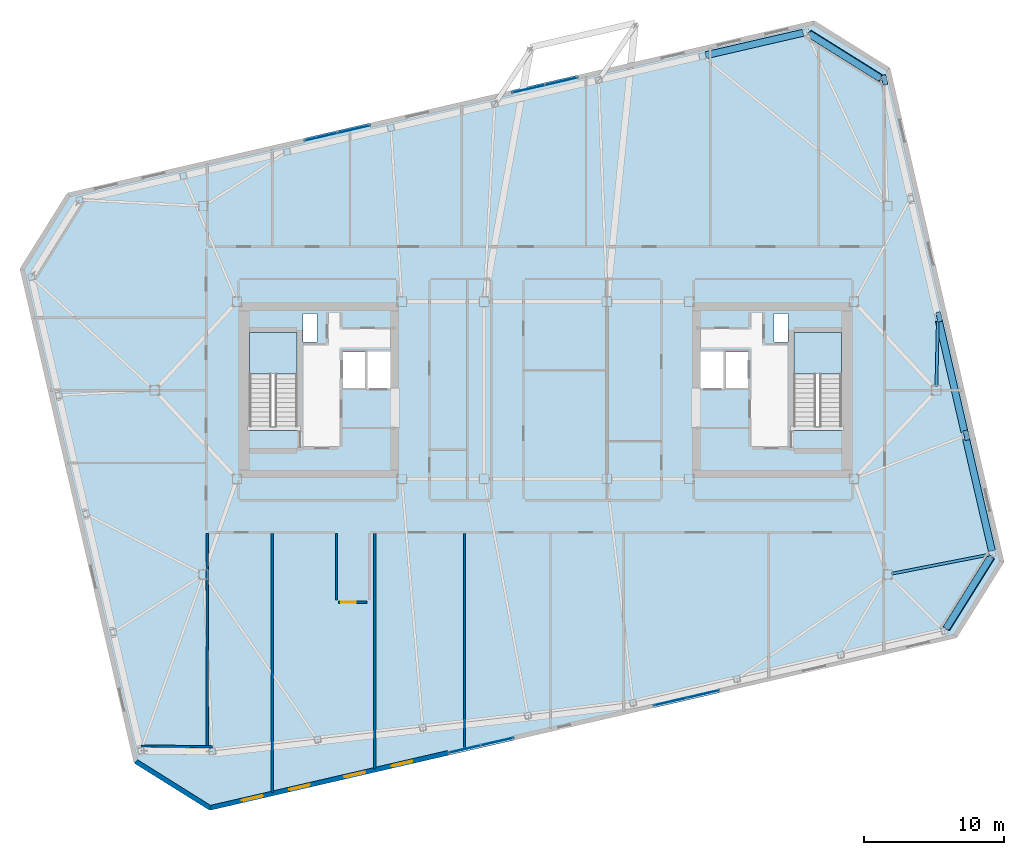
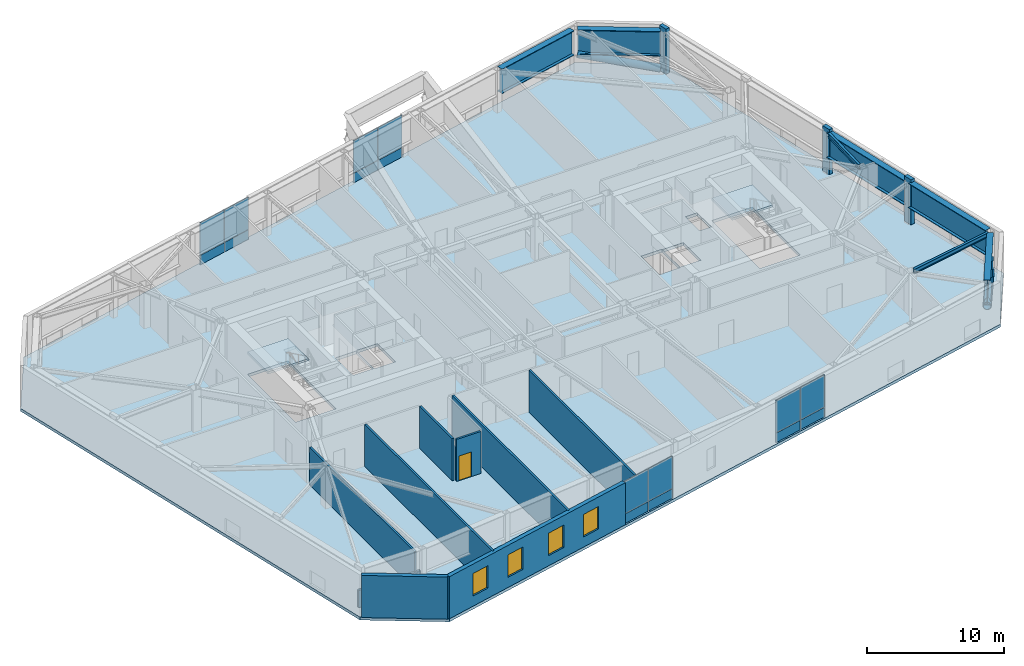
# One storey, part 15 of 23: 16 plates, 9 walls, 7 beams, 5 members, 4 windows, 3 slabs, 1 door, 5 openings, 6 elements without a shape of their own.
"""IFC4 building model written with IfcOpenShell, lengths in metres."""

from ifc_helpers import new_model, si_unit, direction, frame, frame_2d, origin, origin_2d, place, context, subcontext, project, spatial, polyline, rectangle, hollow_circle, i_section, outline, extrude, material, layer, layer_set, material_profile, profile_set, type_object, element, fill, aggregate, save


model = new_model("IFC4")

# Units and contexts
model_context = context("Model", 3, precision=1e-05, world=origin(), true_north=direction((0.0, 1.0)))
body_context = subcontext(model_context, "Body", "Model", "MODEL_VIEW")
ifc_project = project(units=[si_unit("LENGTHUNIT", "METRE"), si_unit("AREAUNIT", "SQUARE_METRE"), si_unit("VOLUMEUNIT", "CUBIC_METRE"), si_unit("PLANEANGLEUNIT", "RADIAN"), si_unit("MASSUNIT", "GRAM", prefix="KILO")], contexts=[model_context])

# Site, building, storey
site_placement = place(None, origin())
site = spatial("IfcSite", under=ifc_project, at=site_placement, CompositionType="ELEMENT")
building_placement = place(site_placement, origin())
building = spatial("IfcBuilding", under=site, at=building_placement, Name="Tavrogorsk Clinical Tower", CompositionType="ELEMENT")
storey_placement = place(building_placement, frame((0.0, 0.0, 305.0)))
storey = spatial("IfcBuildingStorey", under=building, at=storey_placement, Name="L71", CompositionType="ELEMENT", Elevation=305.0)

# Members
ifc_material_1 = material(Name="Structural steel S440", Category="steel")
ifc_material_profile_1 = material_profile(ifc_material_1, hollow_circle(Radius=0.304931640625, WallThickness=0.02490234375, at=origin_2d()), Name="CHS-610x25")
ifc_profile_set_1 = profile_set([ifc_material_profile_1], Name="Structural steel S440")
member_type_1 = type_object("IfcMemberType", Name="ExoBrace_CHS610", PredefinedType="BRACE", material=ifc_profile_set_1)
for number, where, z_axis, x_axis, name in (
    (1, (31.91455078125, -11.92236328125, 0.342041015625), (-0.521290681587, -0.834200119361, 0.179906048117), (0.848036860335, -0.529937244882, 0.0), "L71 Corner Exoskeleton Brace S8-E1"),
    (2, (24.004150390625, 22.34033203125, 0.342041015625), (-0.834200119361, 0.521290681587, 0.179906048117), (-0.529937244882, -0.848036860335, 0.0), "L71 Corner Exoskeleton Brace E5-N1"),
):
    element("IfcMember", number, at=place(storey_placement, frame(where, z_axis=z_axis, x_axis=x_axis)), inside=storey, type_object=member_type_1, Name=name, PredefinedType="BRACE", context=body_context, shape_type="SweptSolid", body=[
        extrude(hollow_circle(Radius=0.304931640625, WallThickness=0.02490234375, at=origin_2d()), origin(), (0.0, 0.0, 1.0), 6.1474609375),
    ])

# Beams
ifc_material_2 = material(Name="Structural steel S355", Category="steel")
ifc_material_profile_2 = material_profile(ifc_material_2, i_section(OverallWidth=0.199951171875, OverallDepth=0.39990234375, WebThickness=0.010498046875, FlangeThickness=0.01611328125, at=origin_2d()), Name="B-400x200x10.5x16")
ifc_profile_set_2 = profile_set([ifc_material_profile_2], Name="Structural steel S355")
beam_type_1 = type_object("IfcBeamType", Name="FloorBeam_B400", PredefinedType="BEAM", material=ifc_profile_set_2)
beam_1_placement = place(storey_placement, frame((24.80419921875, -13.140625, 3.5400390625), z_axis=(0.981451198395, 0.191712141424, 0.0), x_axis=(-0.191712141424, 0.981451198395, 0.0)))
element("IfcBeam", 3, at=beam_1_placement, inside=storey, type_object=beam_type_1, Name="L71 Radial Floor Beam E1", PredefinedType="BEAM", context=body_context, shape_type="SweptSolid", body=[
    extrude(i_section(OverallWidth=0.199951171875, OverallDepth=0.39990234375, WebThickness=0.010498046875, FlangeThickness=0.01611328125, at=origin_2d()), origin(), (0.0, 0.0, 1.0), 7.13525390625),
])
beam_2_placement = place(storey_placement, frame((28.0068359375, 0.309814453125, 3.5400390625), z_axis=(0.022370062613, 0.999749758839, 0.0), x_axis=(-0.999749758839, 0.022370062613, 0.0)))
element("IfcBeam", 4, at=beam_2_placement, inside=storey, type_object=beam_type_1, Name="L71 Radial Floor Beam E3", PredefinedType="BEAM", context=body_context, shape_type="SweptSolid", body=[
    extrude(i_section(OverallWidth=0.199951171875, OverallDepth=0.39990234375, WebThickness=0.010498046875, FlangeThickness=0.01611328125, at=origin_2d()), origin(), (0.0, 0.0, 1.0), 4.703857421875),
])

# Members
ifc_material_3 = material(Name="Precast concrete B45 with limestone cladding", Category="masonry")
ifc_material_profile_3 = material_profile(ifc_material_3, rectangle(XDim=0.320068359375, YDim=0.719970703125, at=origin_2d()), Name="LIMESTONE-FIN-320x720")
ifc_profile_set_3 = profile_set([ifc_material_profile_3], Name="Precast concrete B45 with limestone cladding")
member_type_2 = type_object("IfcMemberType", Name="LimestonePleatFin_320x720", PredefinedType="USERDEFINED", material=ifc_profile_set_3)
for number, where, z_axis, x_axis, name in (
    (5, (30.154541015625, -3.223388671875, 0.0), (0.0, 0.0, 1.0), (0.974370064785, 0.224951054344, 0.0), "L71 E Pleated Stone Fin 1"),
    (6, (28.1953125, 5.263427734375, 0.0), (0.0, 0.0, 1.0), (0.974370064785, 0.224951054344, 0.0), "L71 E Pleated Stone Fin 2"),
    (7, (24.276611328125, 22.237060546875, 0.0), (0.0, 0.0, 1.0), (0.974370064785, 0.224951054344, 0.0), "L71 E Pleated Stone Fin 4"),
):
    element("IfcMember", number, at=place(storey_placement, frame(where, z_axis=z_axis, x_axis=x_axis)), inside=storey, type_object=member_type_2, Name=name, ObjectType="FIN", PredefinedType="USERDEFINED", context=body_context, shape_type="SweptSolid", body=[
        extrude(rectangle(XDim=0.320068359375, YDim=0.719970703125, at=origin_2d()), origin(), (0.0, 0.0, 1.0), 4.0),
    ])

# Beams
ifc_material_4 = material(Name="Structural steel S440", Category="steel")
ifc_material_profile_4 = material_profile(ifc_material_4, i_section(OverallWidth=0.5, OverallDepth=2.199951171875, WebThickness=0.035888671875, FlangeThickness=0.054931640625, at=origin_2d()), Name="DK-2200x500x36x55")
ifc_profile_set_4 = profile_set([ifc_material_profile_4], Name="Structural steel S440")
beam_type_2 = type_object("IfcBeamType", Name="TransferGirder_DK2200", PredefinedType="USERDEFINED", material=ifc_profile_set_4)
beam_3_placement = place(storey_placement, frame((28.712158203125, -17.04736328125, 2.639892578125), z_axis=(0.529904457892, 0.848057348006, 0.0), x_axis=(-0.848057348006, 0.529904457892, 0.0)))
element("IfcBeam", 8, at=beam_3_placement, inside=storey, type_object=beam_type_2, Name="L71 Perimeter Spandrel S8-E1", ObjectType="GIRDER", PredefinedType="USERDEFINED", context=body_context, shape_type="SweptSolid", body=[
    extrude(i_section(OverallWidth=0.5, OverallDepth=2.199951171875, WebThickness=0.035888671875, FlangeThickness=0.054931640625, at=origin_2d()), origin(), (0.0, 0.0, 1.0), 6.039306640625),
])
for number, where, z_axis, x_axis, name in (
    (9, (31.9833984375, -11.5009765625, 2.639892578125), (-0.224950345141, 0.974370228517, 0.0), (-0.974370228517, -0.224950345141, 0.0), "L71 Perimeter Spandrel E1-E2"),
    (10, (30.024169921875, -3.01416015625, 2.639892578125), (-0.224950345141, 0.974370228517, 0.0), (-0.974370228517, -0.224950345141, 0.0), "L71 Perimeter Spandrel E2-E3"),
):
    element("IfcBeam", number, at=place(storey_placement, frame(where, z_axis=z_axis, x_axis=x_axis)), inside=storey, type_object=beam_type_2, Name=name, ObjectType="GIRDER", PredefinedType="USERDEFINED", context=body_context, shape_type="SweptSolid", body=[
        extrude(i_section(OverallWidth=0.5, OverallDepth=2.199951171875, WebThickness=0.035888671875, FlangeThickness=0.054931640625, at=origin_2d()), origin(), (0.0, 0.0, 1.0), 8.243896484375),
    ])
beam_4_placement = place(storey_placement, frame((24.0009765625, 22.342529296875, 2.639892578125), z_axis=(-0.848057348006, 0.529904457892, 0.0), x_axis=(-0.529904457892, -0.848057348006, 0.0)))
element("IfcBeam", 11, at=beam_4_placement, inside=storey, type_object=beam_type_2, Name="L71 Perimeter Spandrel E5-N1", ObjectType="GIRDER", PredefinedType="USERDEFINED", context=body_context, shape_type="SweptSolid", body=[
    extrude(i_section(OverallWidth=0.5, OverallDepth=2.199951171875, WebThickness=0.035888671875, FlangeThickness=0.054931640625, at=origin_2d()), origin(), (0.0, 0.0, 1.0), 6.039306640625),
])
beam_5_placement = place(storey_placement, frame((18.45458984375, 25.61376953125, 2.639892578125), z_axis=(-0.974375120167, -0.224929155956, 0.0), x_axis=(0.224929155956, -0.974375120167, 0.0)))
element("IfcBeam", 12, at=beam_5_placement, inside=storey, type_object=beam_type_2, Name="L71 Perimeter Spandrel N1-N2", ObjectType="GIRDER", PredefinedType="USERDEFINED", context=body_context, shape_type="SweptSolid", body=[
    extrude(i_section(OverallWidth=0.5, OverallDepth=2.199951171875, WebThickness=0.035888671875, FlangeThickness=0.054931640625, at=origin_2d()), origin(), (0.0, 0.0, 1.0), 7.16796875),
])

# Curtain wall, plates
ifc_material_5 = material(Name="Anodised aluminium and triple IGU glazing", Category="aluminium")
ifc_layer_1 = layer(ifc_material_5, 0.179931640625)
ifc_layer_set_1 = layer_set([ifc_layer_1], Name="Anodised aluminium and triple IGU glazing")
curtain_wall_type_1 = type_object("IfcCurtainWallType", Name="CW3_SouthSlot", PredefinedType="NOTDEFINED", material=ifc_layer_set_1)
curtain_wall_1_placement = place(storey_placement, origin())
curtain_wall_1 = element("IfcCurtainWall", 13, at=curtain_wall_1_placement, inside=storey, type_object=curtain_wall_type_1, Name="L71 Curtain Wall CW-L71-S-SLOT-1", PredefinedType="NOTDEFINED")
ifc_material_6 = material(Name="Honed Podolsk limestone spandrel panel", Category="masonry")
ifc_layer_2 = layer(ifc_material_6, 0.080078125)
ifc_layer_set_2 = layer_set([ifc_layer_2], Name="Honed Podolsk limestone spandrel panel")
plate_type_1 = type_object("IfcPlateType", Name="CwSpandrelStonePanel_80", PredefinedType="CURTAIN_PANEL", material=ifc_layer_set_2)
plate_1_placement = place(storey_placement, frame((-5.810546875, -25.7099609375, 0.001953125), z_axis=(0.0, 0.0, 1.0), x_axis=(0.974370057377, 0.224951086434, 0.0)))
plate_1 = element("IfcPlate", 14, at=plate_1_placement, type_object=plate_type_1, Name="CW-L71-S-SLOT-1 Stone Spandrel Panel 1", PredefinedType="CURTAIN_PANEL", context=body_context, shape_type="SweptSolid", body=[
    extrude(rectangle(XDim=2.39208984375, YDim=0.080078125, at=origin_2d()), origin(), (0.0, 0.0, 1.0), 0.8359375),
])
plate_2_placement = place(storey_placement, frame((-3.45654296875, -25.16650390625, 0.001953125), z_axis=(0.0, 0.0, 1.0), x_axis=(0.974370057377, 0.224951086434, 0.0)))
plate_2 = element("IfcPlate", 15, at=plate_2_placement, type_object=plate_type_1, Name="CW-L71-S-SLOT-1 Stone Spandrel Panel 2", PredefinedType="CURTAIN_PANEL", context=body_context, shape_type="SweptSolid", body=[
    extrude(rectangle(XDim=2.39208984375, YDim=0.080078125, at=origin_2d()), origin(), (0.0, 0.0, 1.0), 0.8359375),
])

curtain_wall_2_placement = place(storey_placement, origin())
curtain_wall_2 = element("IfcCurtainWall", 16, at=curtain_wall_2_placement, inside=storey, type_object=curtain_wall_type_1, Name="L71 Curtain Wall CW-L71-S-SLOT-2", PredefinedType="NOTDEFINED")
plate_3_placement = place(storey_placement, frame((8.9296875, -22.306884765625, 0.001953125), z_axis=(0.0, 0.0, 1.0), x_axis=(0.974370057377, 0.224951086434, 0.0)))
plate_3 = element("IfcPlate", 17, at=plate_3_placement, type_object=plate_type_1, Name="CW-L71-S-SLOT-2 Stone Spandrel Panel 1", PredefinedType="CURTAIN_PANEL", context=body_context, shape_type="SweptSolid", body=[
    extrude(rectangle(XDim=2.39208984375, YDim=0.080078125, at=origin_2d()), origin(), (0.0, 0.0, 1.0), 0.8359375),
])
plate_4_placement = place(storey_placement, frame((11.28369140625, -21.763427734375, 0.001953125), z_axis=(0.0, 0.0, 1.0), x_axis=(0.974370057377, 0.224951086434, 0.0)))
plate_4 = element("IfcPlate", 18, at=plate_4_placement, type_object=plate_type_1, Name="CW-L71-S-SLOT-2 Stone Spandrel Panel 2", PredefinedType="CURTAIN_PANEL", context=body_context, shape_type="SweptSolid", body=[
    extrude(rectangle(XDim=2.39208984375, YDim=0.080078125, at=origin_2d()), origin(), (0.0, 0.0, 1.0), 0.8359375),
])

ifc_material_7 = material(Name="Anodised aluminium and triple IGU glazing", Category="aluminium")
ifc_layer_3 = layer(ifc_material_7, 0.179931640625)
ifc_layer_set_3 = layer_set([ifc_layer_3], Name="Anodised aluminium and triple IGU glazing")
curtain_wall_type_2 = type_object("IfcCurtainWallType", Name="CW2_NorthSlot", PredefinedType="NOTDEFINED", material=ifc_layer_set_3)
curtain_wall_3_placement = place(storey_placement, origin())
curtain_wall_3 = element("IfcCurtainWall", 19, at=curtain_wall_3_placement, inside=storey, type_object=curtain_wall_type_2, Name="L71 Curtain Wall CW-L71-N-SLOT-1", PredefinedType="NOTDEFINED")
plate_5_placement = place(storey_placement, frame((-13.729736328125, 18.70703125, 0.001953125), z_axis=(0.0, 0.0, 1.0), x_axis=(-0.974370057377, -0.224951086434, 0.0)))
plate_5 = element("IfcPlate", 20, at=plate_5_placement, type_object=plate_type_1, Name="CW-L71-N-SLOT-1 Stone Spandrel Panel 1", PredefinedType="CURTAIN_PANEL", context=body_context, shape_type="SweptSolid", body=[
    extrude(rectangle(XDim=2.39208984375, YDim=0.080078125, at=origin_2d()), origin(), (0.0, 0.0, 1.0), 0.8359375),
])
plate_6_placement = place(storey_placement, frame((-16.083740234375, 18.16357421875, 0.001953125), z_axis=(0.0, 0.0, 1.0), x_axis=(-0.974370057377, -0.224951086434, 0.0)))
plate_6 = element("IfcPlate", 21, at=plate_6_placement, type_object=plate_type_1, Name="CW-L71-N-SLOT-1 Stone Spandrel Panel 2", PredefinedType="CURTAIN_PANEL", context=body_context, shape_type="SweptSolid", body=[
    extrude(rectangle(XDim=2.39208984375, YDim=0.080078125, at=origin_2d()), origin(), (0.0, 0.0, 1.0), 0.8359375),
])

curtain_wall_4_placement = place(storey_placement, origin())
curtain_wall_4 = element("IfcCurtainWall", 22, at=curtain_wall_4_placement, inside=storey, type_object=curtain_wall_type_2, Name="L71 Curtain Wall CW-L71-N-SLOT-2", PredefinedType="NOTDEFINED")
plate_7_placement = place(storey_placement, frame((1.1474609375, 22.1416015625, 0.001953125), z_axis=(0.0, 0.0, 1.0), x_axis=(-0.974370092441, -0.224950934554, 0.0)))
plate_7 = element("IfcPlate", 23, at=plate_7_placement, type_object=plate_type_1, Name="CW-L71-N-SLOT-2 Stone Spandrel Panel 1", PredefinedType="CURTAIN_PANEL", context=body_context, shape_type="SweptSolid", body=[
    extrude(rectangle(XDim=2.39208984375, YDim=0.080078125, at=origin_2d()), origin(), (0.0, 0.0, 1.0), 0.8359375),
])
plate_8_placement = place(storey_placement, frame((-1.20654296875, 21.59814453125, 0.001953125), z_axis=(0.0, 0.0, 1.0), x_axis=(-0.974370092441, -0.224950934554, 0.0)))
plate_8 = element("IfcPlate", 24, at=plate_8_placement, type_object=plate_type_1, Name="CW-L71-N-SLOT-2 Stone Spandrel Panel 2", PredefinedType="CURTAIN_PANEL", context=body_context, shape_type="SweptSolid", body=[
    extrude(rectangle(XDim=2.39208984375, YDim=0.080078125, at=origin_2d()), origin(), (0.0, 0.0, 1.0), 0.8359375),
])

# Plate
ifc_material_8 = material(Name="Triple low-E argon insulated glass", Category="glass")
ifc_layer_4 = layer(ifc_material_8, 0.048095703125)
ifc_layer_set_4 = layer_set([ifc_layer_4], Name="Triple low-E argon insulated glass")
plate_type_2 = type_object("IfcPlateType", Name="CwVisionGlassPanel_48", PredefinedType="CURTAIN_PANEL", material=ifc_layer_set_4)
plate_9_placement = place(storey_placement, frame((-5.810546875, -25.7099609375, 0.862060546875), z_axis=(0.0, 0.0, 1.0), x_axis=(0.974370057377, 0.224951086434, 0.0)))
plate_9 = element("IfcPlate", 25, at=plate_9_placement, type_object=plate_type_2, Name="CW-L71-S-SLOT-1 Glazing Panel 1", PredefinedType="CURTAIN_PANEL", context=body_context, shape_type="SweptSolid", body=[
    extrude(rectangle(XDim=2.39208984375, YDim=0.048095703125, at=origin_2d()), origin(), (0.0, 0.0, 1.0), 2.8759765625),
])

plate_10_placement = place(storey_placement, frame((-3.45654296875, -25.16650390625, 0.862060546875), z_axis=(0.0, 0.0, 1.0), x_axis=(0.974370057377, 0.224951086434, 0.0)))
plate_10 = element("IfcPlate", 26, at=plate_10_placement, type_object=plate_type_2, Name="CW-L71-S-SLOT-1 Glazing Panel 2", PredefinedType="CURTAIN_PANEL", context=body_context, shape_type="SweptSolid", body=[
    extrude(rectangle(XDim=2.39208984375, YDim=0.048095703125, at=origin_2d()), origin(), (0.0, 0.0, 1.0), 2.8759765625),
])

aggregate(curtain_wall_1, [plate_1, plate_9, plate_2, plate_10])

plate_11_placement = place(storey_placement, frame((8.9296875, -22.306884765625, 0.862060546875), z_axis=(0.0, 0.0, 1.0), x_axis=(0.974370057377, 0.224951086434, 0.0)))
plate_11 = element("IfcPlate", 27, at=plate_11_placement, type_object=plate_type_2, Name="CW-L71-S-SLOT-2 Glazing Panel 1", PredefinedType="CURTAIN_PANEL", context=body_context, shape_type="SweptSolid", body=[
    extrude(rectangle(XDim=2.39208984375, YDim=0.048095703125, at=origin_2d()), origin(), (0.0, 0.0, 1.0), 2.8759765625),
])

plate_12_placement = place(storey_placement, frame((11.28369140625, -21.763427734375, 0.862060546875), z_axis=(0.0, 0.0, 1.0), x_axis=(0.974370057377, 0.224951086434, 0.0)))
plate_12 = element("IfcPlate", 28, at=plate_12_placement, type_object=plate_type_2, Name="CW-L71-S-SLOT-2 Glazing Panel 2", PredefinedType="CURTAIN_PANEL", context=body_context, shape_type="SweptSolid", body=[
    extrude(rectangle(XDim=2.39208984375, YDim=0.048095703125, at=origin_2d()), origin(), (0.0, 0.0, 1.0), 2.8759765625),
])

aggregate(curtain_wall_2, [plate_3, plate_11, plate_4, plate_12])

plate_13_placement = place(storey_placement, frame((-13.729736328125, 18.70703125, 0.862060546875), z_axis=(0.0, 0.0, 1.0), x_axis=(-0.974370057377, -0.224951086434, 0.0)))
plate_13 = element("IfcPlate", 29, at=plate_13_placement, type_object=plate_type_2, Name="CW-L71-N-SLOT-1 Glazing Panel 1", PredefinedType="CURTAIN_PANEL", context=body_context, shape_type="SweptSolid", body=[
    extrude(rectangle(XDim=2.39208984375, YDim=0.048095703125, at=origin_2d()), origin(), (0.0, 0.0, 1.0), 2.8759765625),
])

plate_14_placement = place(storey_placement, frame((-16.083740234375, 18.16357421875, 0.862060546875), z_axis=(0.0, 0.0, 1.0), x_axis=(-0.974370057377, -0.224951086434, 0.0)))
plate_14 = element("IfcPlate", 30, at=plate_14_placement, type_object=plate_type_2, Name="CW-L71-N-SLOT-1 Glazing Panel 2", PredefinedType="CURTAIN_PANEL", context=body_context, shape_type="SweptSolid", body=[
    extrude(rectangle(XDim=2.39208984375, YDim=0.048095703125, at=origin_2d()), origin(), (0.0, 0.0, 1.0), 2.8759765625),
])

aggregate(curtain_wall_3, [plate_5, plate_13, plate_6, plate_14])

plate_15_placement = place(storey_placement, frame((1.1474609375, 22.1416015625, 0.862060546875), z_axis=(0.0, 0.0, 1.0), x_axis=(-0.974370092441, -0.224950934554, 0.0)))
plate_15 = element("IfcPlate", 31, at=plate_15_placement, type_object=plate_type_2, Name="CW-L71-N-SLOT-2 Glazing Panel 1", PredefinedType="CURTAIN_PANEL", context=body_context, shape_type="SweptSolid", body=[
    extrude(rectangle(XDim=2.39208984375, YDim=0.048095703125, at=origin_2d()), origin(), (0.0, 0.0, 1.0), 2.8759765625),
])

plate_16_placement = place(storey_placement, frame((-1.20654296875, 21.59814453125, 0.862060546875), z_axis=(0.0, 0.0, 1.0), x_axis=(-0.974370092441, -0.224950934554, 0.0)))
plate_16 = element("IfcPlate", 32, at=plate_16_placement, type_object=plate_type_2, Name="CW-L71-N-SLOT-2 Glazing Panel 2", PredefinedType="CURTAIN_PANEL", context=body_context, shape_type="SweptSolid", body=[
    extrude(rectangle(XDim=2.39208984375, YDim=0.048095703125, at=origin_2d()), origin(), (0.0, 0.0, 1.0), 2.8759765625),
])

aggregate(curtain_wall_4, [plate_7, plate_15, plate_8, plate_16])

# Stair, slab
ifc_material_9 = material(Name="Concrete B60", Category="concrete")
stair_type = type_object("IfcStairType", Name="CoreStairAssembly", PredefinedType="HALF_TURN_STAIR", material=ifc_material_9)
stair_1_placement = place(storey_placement, origin())
stair_1 = element("IfcStair", 33, at=stair_1_placement, inside=storey, type_object=stair_type, Name="L71 ST-W", PredefinedType="HALF_TURN_STAIR")
ifc_material_10 = material(Name="Concrete B60", Category="concrete")
ifc_layer_5 = layer(ifc_material_10, 0.199951171875)
ifc_layer_set_5 = layer_set([ifc_layer_5], Name="Concrete B60")
slab_type_1 = type_object("IfcSlabType", Name="StairLanding_200", PredefinedType="LANDING", material=ifc_layer_set_5)
slab_1_placement = place(storey_placement, frame((0.0, 0.0, 1.800048828125)))
slab_1 = element("IfcSlab", 34, at=slab_1_placement, type_object=slab_type_1, Name="ST-W landing 1", PredefinedType="LANDING", context=body_context, shape_type="SweptSolid", body=[
    extrude(outline(polyline([(-17.800048828125, 1.1650390625), (-17.800048828125, 4.125), (-21.199951171875, 4.125), (-21.199951171875, 1.1650390625), (-17.800048828125, 1.1650390625)])), origin(), (0.0, 0.0, 1.0), 0.199951171875),
])
aggregate(stair_1, [slab_1])

stair_2_placement = place(storey_placement, origin())
stair_2 = element("IfcStair", 35, at=stair_2_placement, inside=storey, type_object=stair_type, Name="L71 ST-E", PredefinedType="HALF_TURN_STAIR")
slab_2_placement = place(storey_placement, frame((0.0, 0.0, 1.800048828125)))
slab_2 = element("IfcSlab", 36, at=slab_2_placement, type_object=slab_type_1, Name="ST-E landing 1", PredefinedType="LANDING", context=body_context, shape_type="SweptSolid", body=[
    extrude(outline(polyline([(21.199951171875, 1.1650390625), (21.199951171875, 4.125), (17.800048828125, 4.125), (17.800048828125, 1.1650390625), (21.199951171875, 1.1650390625)])), origin(), (0.0, 0.0, 1.0), 0.199951171875),
])
aggregate(stair_2, [slab_2])

# Slab
ifc_material_11 = material(Name="Concrete B60", Category="concrete")
ifc_layer_6 = layer(ifc_material_11, 0.260009765625)
ifc_layer_set_6 = layer_set([ifc_layer_6], Name="Concrete B60")
slab_type_2 = type_object("IfcSlabType", Name="WardSlab_260", PredefinedType="FLOOR", material=ifc_layer_set_6)
slab_3_placement = place(storey_placement, frame((0.0, 0.0, -0.260009765625)))
element("IfcSlab", 37, at=slab_3_placement, inside=storey, type_object=slab_type_2, Name="L71 Structural Slab", PredefinedType="FLOOR", context=body_context, shape_type="SweptSolid", body=[
    extrude(outline(polyline([(-23.991455078125, -30.081787109375), (29.404052734375, -17.75439453125), (32.8515625, -12.23779296875), (24.708251953125, 23.034423828125), (19.19140625, 26.48193359375), (-34.2041015625, 14.154541015625), (-37.651611328125, 8.6376953125), (-29.50830078125, -26.634521484375), (-23.991455078125, -30.081787109375)]), holes=[polyline([(-17.800048828125, -2.8798828125), (-17.800048828125, 4.125), (-21.199951171875, 4.125), (-21.199951171875, -2.8798828125), (-17.800048828125, -2.8798828125)]), polyline([(21.199951171875, -2.8798828125), (21.199951171875, 4.125), (17.800048828125, 4.125), (17.800048828125, -2.8798828125), (21.199951171875, -2.8798828125)]), polyline([(-14.6201171875, 0.169921875), (-12.860107421875, 0.169921875), (-12.860107421875, 2.72998046875), (-14.6201171875, 2.72998046875), (-14.6201171875, 0.169921875)]), polyline([(-12.840087890625, 0.1201171875), (-11.080078125, 0.1201171875), (-11.080078125, 2.780029296875), (-12.840087890625, 2.780029296875), (-12.840087890625, 0.1201171875)]), polyline([(12.860107421875, 0.169921875), (14.6201171875, 0.169921875), (14.6201171875, 2.72998046875), (12.860107421875, 2.72998046875), (12.860107421875, 0.169921875)]), polyline([(11.080078125, 0.1201171875), (12.840087890625, 0.1201171875), (12.840087890625, 2.780029296875), (11.080078125, 2.780029296875), (11.080078125, 0.1201171875)]), polyline([(-17.3798828125, 3.449951171875), (-16.3798828125, 3.449951171875), (-16.3798828125, 5.5), (-17.3798828125, 5.5), (-17.3798828125, 3.449951171875)]), polyline([(16.3798828125, 3.449951171875), (17.3798828125, 3.449951171875), (17.3798828125, 5.5), (16.3798828125, 5.5), (16.3798828125, 3.449951171875)])]), origin(), (0.0, 0.0, 1.0), 0.260009765625),
])

# Wall
ifc_material_12 = material(Name="Lightweight concrete blockwork B15", Category="masonry")
ifc_layer_7 = layer(ifc_material_12, 0.159912109375)
ifc_layer_set_7 = layer_set([ifc_layer_7], Name="Lightweight concrete blockwork B15")
wall_type_1 = type_object("IfcWallType", Name="PartitionWall_160", PredefinedType="PARTITIONING", material=ifc_layer_set_7)
wall_1_placement = place(storey_placement, frame((-28.994140625, -25.47900390625, 0.0), z_axis=(0.0, 0.0, 1.0), x_axis=(0.999915052546, -0.01303409726, 0.0)))
element("IfcWall", 38, at=wall_1_placement, inside=storey, type_object=wall_type_1, Name="L71 Corner Exoskeleton Brace Furring Wall 4", PredefinedType="PARTITIONING", context=body_context, shape_type="SweptSolid", body=[
    extrude(rectangle(XDim=5.13232421875, YDim=0.159912109375, at=frame_2d((2.566162109375, 0.0))), origin(), (0.0, 0.0, 1.0), 1.534912109375),
])

# Wall, opening, door
wall_2_placement = place(storey_placement, frame((-12.784912109375, -15.179931640625, 0.0), z_axis=(0.0, 0.0, 1.0), x_axis=(-1.0, 0.0, 0.0)))
wall_2 = element("IfcWall", 39, at=wall_2_placement, inside=storey, type_object=wall_type_1, Name="L71 Corridor Partition 06", PredefinedType="PARTITIONING", context=body_context, shape_type="SweptSolid", body=[
    extrude(rectangle(XDim=2.030029296875, YDim=0.159912109375, at=frame_2d((1.01513671875, 0.0))), origin(), (0.0, 0.0, 1.0), 3.739990234375),
])
opening_1_placement = place(wall_2_placement, frame((0.800048828125, 0.0, 0.0)))
opening_1 = element("IfcOpeningElement", 40, at=opening_1_placement, cuts=wall_2, Name="Opening ID-04", PredefinedType="OPENING", context=body_context, shape_type="SweptSolid", body=[
    extrude(rectangle(XDim=1.050048828125, YDim=2.199951171875, at=frame_2d((0.52490234375, 1.10009765625))), frame((0.0, 0.08984375, 0.0), z_axis=(0.0, -1.0, 0.0), x_axis=(1.0, 0.0, 0.0)), (0.0, 0.0, 1.0), 0.179931640625),
])
ifc_material_13 = material(Name="Antibacterial HPL consultation door on aluminium frame", Category="aluminium")
door_type = type_object("IfcDoorType", Name="ConsultDoor_ID04_1050", OperationType="NOTDEFINED", PredefinedType="DOOR", material=ifc_material_13)
door_placement = place(opening_1_placement, origin())
door = element("IfcDoor", 41, at=door_placement, inside=storey, type_object=door_type, Name="L71 South Clinical Case Seminar Room 02A Door", OperationType="SINGLE_SWING_LEFT", OverallHeight=2.199951171875, OverallWidth=1.050048828125, PredefinedType="DOOR", context=body_context, shape_type="SweptSolid", body=[
    extrude(rectangle(XDim=1.050048828125, YDim=2.199951171875, at=frame_2d((0.52490234375, 1.10009765625))), frame((0.0, 0.02490234375, 0.0), z_axis=(0.0, -1.0, 0.0), x_axis=(1.0, 0.0, 0.0)), (0.0, 0.0, 1.0), 0.050048828125),
])
fill(opening_1, door)

# Walls
wall_3_placement = place(storey_placement, frame((-14.97998046875, -15.014892578125, 0.0), z_axis=(0.0, 0.0, 1.0), x_axis=(0.0, 1.0, 0.0)))
element("IfcWall", 42, at=wall_3_placement, inside=storey, type_object=wall_type_1, Name="L71 Corridor Partition 07", PredefinedType="PARTITIONING", context=body_context, shape_type="SweptSolid", body=[
    extrude(rectangle(XDim=4.75, YDim=0.159912109375, at=frame_2d((2.375, 0.0))), origin(), (0.0, 0.0, 1.0), 3.739990234375),
])
wall_4_placement = place(storey_placement, frame((-24.22998046875, -25.535888671875, 0.0), z_axis=(0.0, 0.0, 1.0), x_axis=(0.0, 1.0, 0.0)))
element("IfcWall", 43, at=wall_4_placement, inside=storey, type_object=wall_type_1, Name="L71 SW Wing Closure Partition", PredefinedType="PARTITIONING", context=body_context, shape_type="SweptSolid", body=[
    extrude(rectangle(XDim=15.27099609375, YDim=0.159912109375, at=frame_2d((7.635498046875, 0.0))), origin(), (0.0, 0.0, 1.0), 3.3349609375),
])
wall_5_placement = place(storey_placement, frame((-19.580078125, -28.817138671875, 0.0), z_axis=(0.0, 0.0, 1.0), x_axis=(0.0, 1.0, 0.0)))
element("IfcWall", 44, at=wall_5_placement, inside=storey, type_object=wall_type_1, Name="L71 South Room Partition 1", PredefinedType="PARTITIONING", context=body_context, shape_type="SweptSolid", body=[
    extrude(rectangle(XDim=18.55224609375, YDim=0.159912109375, at=frame_2d((9.276123046875, 0.0))), origin(), (0.0, 0.0, 1.0), 3.739990234375),
])
wall_6_placement = place(storey_placement, frame((-5.800048828125, -25.6357421875, 0.0), z_axis=(0.0, 0.0, 1.0), x_axis=(0.0, 1.0, 0.0)))
element("IfcWall", 45, at=wall_6_placement, inside=storey, type_object=wall_type_1, Name="L71 South Room Partition 2", PredefinedType="PARTITIONING", context=body_context, shape_type="SweptSolid", body=[
    extrude(rectangle(XDim=15.370849609375, YDim=0.159912109375, at=frame_2d((7.685546875, 0.0))), origin(), (0.0, 0.0, 1.0), 3.739990234375),
])
wall_7_placement = place(storey_placement, frame((-12.239990234375, -27.12255859375, 0.0), z_axis=(0.0, 0.0, 1.0), x_axis=(0.0, 1.0, 0.0)))
element("IfcWall", 46, at=wall_7_placement, inside=storey, type_object=wall_type_1, Name="L71 South Sub-Partition 2", PredefinedType="PARTITIONING", context=body_context, shape_type="SweptSolid", body=[
    extrude(rectangle(XDim=16.857666015625, YDim=0.159912109375, at=frame_2d((8.4287109375, 0.0))), origin(), (0.0, 0.0, 1.0), 3.739990234375),
])

# Wall, openings, windows
ifc_material_14 = material(Name="Precast concrete B45 with limestone cladding", Category="masonry")
ifc_layer_8 = layer(ifc_material_14, 0.340087890625)
ifc_layer_set_8 = layer_set([ifc_layer_8], Name="Precast concrete B45 with limestone cladding")
wall_type_2 = type_object("IfcWallType", Name="PrecastLimestoneWall_340", PredefinedType="STANDARD", material=ifc_layer_set_8)
wall_8_placement = place(storey_placement, frame((-24.029541015625, -29.916259765625, 0.0), z_axis=(0.0, 0.0, 1.0), x_axis=(0.974370978061, 0.224947098473, 0.0)))
wall_8 = element("IfcWall", 47, at=wall_8_placement, inside=storey, type_object=wall_type_2, Name="L71 S Limestone Facade Wall 1", PredefinedType="STANDARD", context=body_context, shape_type="SweptSolid", body=[
    extrude(rectangle(XDim=17.50634765625, YDim=0.340087890625, at=frame_2d((8.753173828125, 0.0))), origin(), (0.0, 0.0, 1.0), 3.739990234375),
])
opening_2_placement = place(wall_8_placement, frame((2.35009765625, 0.0, 0.89990234375)))
opening_2 = element("IfcOpeningElement", 48, at=opening_2_placement, cuts=wall_8, Name="Opening WN-05", PredefinedType="OPENING", context=body_context, shape_type="SweptSolid", body=[
    extrude(rectangle(XDim=1.5, YDim=2.0, at=frame_2d((0.75, 1.0))), frame((0.0, 0.179931640625, 0.0), z_axis=(0.0, -1.0, 0.0), x_axis=(1.0, 0.0, 0.0)), (0.0, 0.0, 1.0), 0.360107421875),
])
opening_3_placement = place(wall_8_placement, frame((5.81689453125, 0.0, 0.89990234375)))
opening_3 = element("IfcOpeningElement", 49, at=opening_3_placement, cuts=wall_8, Name="Opening WN-05", PredefinedType="OPENING", context=body_context, shape_type="SweptSolid", body=[
    extrude(rectangle(XDim=1.5, YDim=2.0, at=frame_2d((0.75, 1.0))), frame((0.0, 0.179931640625, 0.0), z_axis=(0.0, -1.0, 0.0), x_axis=(1.0, 0.0, 0.0)), (0.0, 0.0, 1.0), 0.360107421875),
])
opening_4_placement = place(wall_8_placement, frame((9.886474609375, 0.0, 0.89990234375)))
opening_4 = element("IfcOpeningElement", 50, at=opening_4_placement, cuts=wall_8, Name="Opening WN-05", PredefinedType="OPENING", context=body_context, shape_type="SweptSolid", body=[
    extrude(rectangle(XDim=1.5, YDim=2.0, at=frame_2d((0.75, 1.0))), frame((0.0, 0.179931640625, 0.0), z_axis=(0.0, -1.0, 0.0), x_axis=(1.0, 0.0, 0.0)), (0.0, 0.0, 1.0), 0.360107421875),
])
opening_5_placement = place(wall_8_placement, frame((13.353271484375, 0.0, 0.89990234375)))
opening_5 = element("IfcOpeningElement", 51, at=opening_5_placement, cuts=wall_8, Name="Opening WN-05", PredefinedType="OPENING", context=body_context, shape_type="SweptSolid", body=[
    extrude(rectangle(XDim=1.5, YDim=2.0, at=frame_2d((0.75, 1.0))), frame((0.0, 0.179931640625, 0.0), z_axis=(0.0, -1.0, 0.0), x_axis=(1.0, 0.0, 0.0)), (0.0, 0.0, 1.0), 0.360107421875),
])
ifc_material_15 = material(Name="Thermally broken aluminium frame and triple IGU", Category="aluminium")
window_type = type_object("IfcWindowType", Name="ConsultWin_1500x2000", PartitioningType="SINGLE_PANEL", PredefinedType="WINDOW", material=ifc_material_15)
window_1_placement = place(opening_2_placement, origin())
window_1 = element("IfcWindow", 52, at=window_1_placement, inside=storey, type_object=window_type, Name="L71 S Chicago Window 01", OverallHeight=2.0, OverallWidth=1.5, PartitioningType="SINGLE_PANEL", PredefinedType="WINDOW", context=body_context, shape_type="SweptSolid", body=[
    extrude(rectangle(XDim=1.5, YDim=2.0, at=frame_2d((0.75, 1.0))), frame((0.0, 0.030029296875, 0.0), z_axis=(0.0, -1.0, 0.0), x_axis=(1.0, 0.0, 0.0)), (0.0, 0.0, 1.0), 0.06005859375),
])
fill(opening_2, window_1)
window_2_placement = place(opening_3_placement, origin())
window_2 = element("IfcWindow", 53, at=window_2_placement, inside=storey, type_object=window_type, Name="L71 S Chicago Window 02", OverallHeight=2.0, OverallWidth=1.5, PartitioningType="SINGLE_PANEL", PredefinedType="WINDOW", context=body_context, shape_type="SweptSolid", body=[
    extrude(rectangle(XDim=1.5, YDim=2.0, at=frame_2d((0.75, 1.0))), frame((0.0, 0.030029296875, 0.0), z_axis=(0.0, -1.0, 0.0), x_axis=(1.0, 0.0, 0.0)), (0.0, 0.0, 1.0), 0.06005859375),
])
fill(opening_3, window_2)
window_3_placement = place(opening_4_placement, origin())
window_3 = element("IfcWindow", 54, at=window_3_placement, inside=storey, type_object=window_type, Name="L71 S Chicago Window 03", OverallHeight=2.0, OverallWidth=1.5, PartitioningType="SINGLE_PANEL", PredefinedType="WINDOW", context=body_context, shape_type="SweptSolid", body=[
    extrude(rectangle(XDim=1.5, YDim=2.0, at=frame_2d((0.75, 1.0))), frame((0.0, 0.030029296875, 0.0), z_axis=(0.0, -1.0, 0.0), x_axis=(1.0, 0.0, 0.0)), (0.0, 0.0, 1.0), 0.06005859375),
])
fill(opening_4, window_3)
window_4_placement = place(opening_5_placement, origin())
window_4 = element("IfcWindow", 55, at=window_4_placement, inside=storey, type_object=window_type, Name="L71 S Chicago Window 04", OverallHeight=2.0, OverallWidth=1.5, PartitioningType="SINGLE_PANEL", PredefinedType="WINDOW", context=body_context, shape_type="SweptSolid", body=[
    extrude(rectangle(XDim=1.5, YDim=2.0, at=frame_2d((0.75, 1.0))), frame((0.0, 0.030029296875, 0.0), z_axis=(0.0, -1.0, 0.0), x_axis=(1.0, 0.0, 0.0)), (0.0, 0.0, 1.0), 0.06005859375),
])
fill(opening_5, window_4)

# Wall
wall_9_placement = place(storey_placement, frame((-29.342529296875, -26.59619140625, 0.0), z_axis=(0.0, 0.0, 1.0), x_axis=(0.848037708252, -0.529935887993, 0.0)))
element("IfcWall", 56, at=wall_9_placement, inside=storey, type_object=wall_type_2, Name="L71 Chamfered Corner Wall 4", PredefinedType="STANDARD", context=body_context, shape_type="SweptSolid", body=[
    extrude(rectangle(XDim=6.26513671875, YDim=0.340087890625, at=frame_2d((3.132568359375, 0.0))), origin(), (0.0, 0.0, 1.0), 3.739990234375),
])

save(model, "model.ifc")
